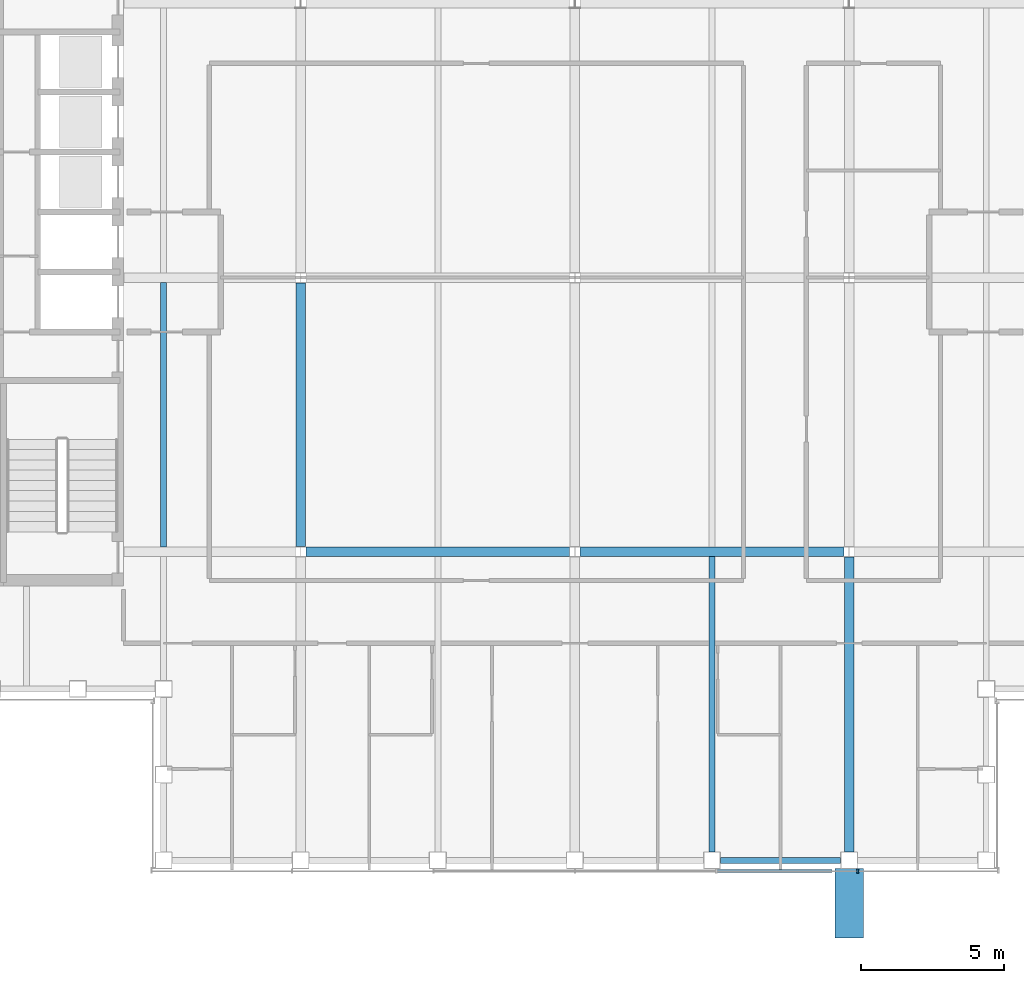
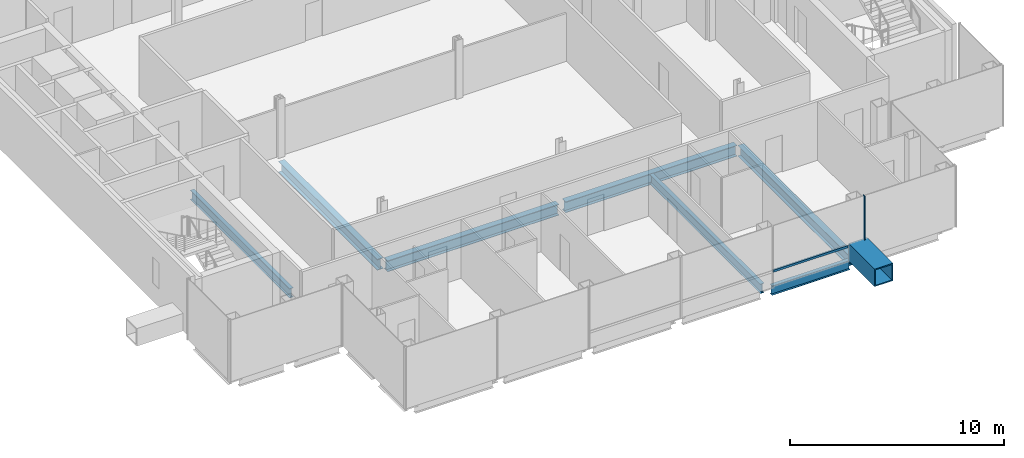
# One storey, part 4 of 15: 8 beams, 2 members, 1 element without a shape of its own.
"""IFC4 building model written with IfcOpenShell, lengths in metres."""

from ifc_helpers import new_model, si_unit, direction, frame, origin, origin_2d, place, context, subcontext, project, spatial, rectangle, hollow_rectangle, i_section, extrude, material, material_profile, profile_set, type_object, element, aggregate, save


model = new_model("IFC4")

# Units and contexts
model_context = context("Model", 3, precision=1e-05, world=origin(), true_north=direction((0.0, 1.0)))
body_context = subcontext(model_context, "Body", "Model", "MODEL_VIEW")
ifc_project = project(units=[si_unit("LENGTHUNIT", "METRE"), si_unit("AREAUNIT", "SQUARE_METRE"), si_unit("VOLUMEUNIT", "CUBIC_METRE"), si_unit("PLANEANGLEUNIT", "RADIAN"), si_unit("MASSUNIT", "GRAM", prefix="KILO")], contexts=[model_context])

# Site, building, storey
site_placement = place(None, origin())
site = spatial("IfcSite", under=ifc_project, at=site_placement, CompositionType="ELEMENT")
building_placement = place(site_placement, origin())
building = spatial("IfcBuilding", under=site, at=building_placement, Name="Cobrizo Arcos Hotel Tower", CompositionType="ELEMENT")
storey_placement = place(building_placement, frame((0.0, 0.0, 258.5)))
storey = spatial("IfcBuildingStorey", under=building, at=storey_placement, Name="L68", CompositionType="ELEMENT", Elevation=258.5)

# Beam
ifc_material_1 = material(Name="Steel ASTM A572 Grade 50", Category="steel")
ifc_material_profile_1 = material_profile(ifc_material_1, hollow_rectangle(XDim=1.0, YDim=1.0, WallThickness=0.06005859375, at=origin_2d()), Name="BOX 1000X1000X60")
ifc_profile_set_1 = profile_set([ifc_material_profile_1], Name="Steel ASTM A572 Grade 50")
beam_type_1 = type_object("IfcBeamType", Name="BOX 1000X1000X60 brace connector strut", PredefinedType="BEAM", material=ifc_profile_set_1)
beam_1_placement = place(storey_placement, frame((9.60009765625, -20.68994140625, 0.5), z_axis=(0.0, -1.0, 0.0), x_axis=(1.0, 0.0, 0.0)))
element("IfcBeam", 1, at=beam_1_placement, inside=storey, type_object=beam_type_1, Name="Perimeter brace stub BS1, zone Z5, south face, offset +9.60 m, L68", PredefinedType="BEAM", context=body_context, shape_type="SweptSolid", body=[
    extrude(hollow_rectangle(XDim=1.0, YDim=1.0, WallThickness=0.06005859375, at=origin_2d()), origin(), (0.0, 0.0, 1.0), 2.43017578125),
])

# Curtain wall, members
ifc_material_2 = material(Name="Aluminium 6063-T6 anodised bronze", Category="aluminium")
curtain_wall_type = type_object("IfcCurtainWallType", Name="CW-A guest facade", PredefinedType="NOTDEFINED", material=ifc_material_2)
curtain_wall_placement = place(storey_placement, origin())
curtain_wall = element("IfcCurtainWall", 2, at=curtain_wall_placement, inside=storey, type_object=curtain_wall_type, Name="CW-A L68 S face", PredefinedType="NOTDEFINED")
ifc_material_profile_2 = material_profile(ifc_material_2, rectangle(XDim=0.14990234375, YDim=0.06005859375, at=origin_2d()), Name="CW-A mullion 150x60")
ifc_profile_set_2 = profile_set([ifc_material_profile_2], Name="Aluminium 6063-T6 anodised bronze")
member_type_1 = type_object("IfcMemberType", Name="CW-A mullion 150x60", PredefinedType="MULLION", material=ifc_profile_set_2)
member_1_placement = place(storey_placement, frame((9.89990234375, -20.77490234375, 0.0), z_axis=(0.0, 0.0, 1.0), x_axis=(0.0, -1.0, 0.0)))
member_1 = element("IfcMember", 3, at=member_1_placement, type_object=member_type_1, Name="CW-A mullion 6", PredefinedType="MULLION", context=body_context, shape_type="SweptSolid", body=[
    extrude(rectangle(XDim=0.14990234375, YDim=0.06005859375, at=origin_2d()), origin(), (0.0, 0.0, 1.0), 3.5),
])
ifc_material_profile_3 = material_profile(ifc_material_2, rectangle(XDim=0.10009765625, YDim=0.1201171875, at=origin_2d()), Name="CW-A transom 120x100")
ifc_profile_set_3 = profile_set([ifc_material_profile_3], Name="Aluminium 6063-T6 anodised bronze")
member_type_2 = type_object("IfcMemberType", Name="CW-A transom 120x100", PredefinedType="USERDEFINED", material=ifc_profile_set_3)
member_2_placement = place(storey_placement, frame((4.97998046875, -20.77490234375, 0.929931640625), z_axis=(1.0, 0.0, 0.0), x_axis=(0.0, 1.0, 0.0)))
member_2 = element("IfcMember", 4, at=member_2_placement, type_object=member_type_2, Name="CW-A transom 2136", ObjectType="TRANSOM", PredefinedType="USERDEFINED", context=body_context, shape_type="SweptSolid", body=[
    extrude(rectangle(XDim=0.10009765625, YDim=0.1201171875, at=origin_2d()), origin(), (0.0, 0.0, 1.0), 4.02001953125),
])
aggregate(curtain_wall, [member_1, member_2])

# Beams
ifc_material_3 = material(Name="Steel ASTM A992 Grade 50", Category="steel")
ifc_material_profile_4 = material_profile(ifc_material_3, i_section(OverallWidth=0.209228515625, OverallDepth=0.533447265625, WebThickness=0.01025390625, FlangeThickness=0.015625, at=origin_2d()), Name="W21X62")
ifc_profile_set_4 = profile_set([ifc_material_profile_4], Name="Steel ASTM A992 Grade 50")
beam_type_2 = type_object("IfcBeamType", Name="W21X62 joist", PredefinedType="JOIST", material=ifc_profile_set_4)
beam_2_placement = place(storey_placement, frame((-14.39990234375, -9.43603515625, -0.416748046875), z_axis=(0.0, 1.0, 0.0), x_axis=(-1.0, 0.0, 0.0)))
element("IfcBeam", 5, at=beam_2_placement, inside=storey, type_object=beam_type_2, Name="Floor joist J1, L68, no. 004", PredefinedType="JOIST", context=body_context, shape_type="SweptSolid", body=[
    extrude(i_section(OverallWidth=0.209228515625, OverallDepth=0.533447265625, WebThickness=0.01025390625, FlangeThickness=0.015625, at=origin_2d()), origin(), (0.0, 0.0, 1.0), 9.272216796875),
])
beam_3_placement = place(storey_placement, frame((4.800048828125, -20.10009765625, -0.416748046875), z_axis=(0.0, 1.0, 0.0), x_axis=(-1.0, 0.0, 0.0)))
element("IfcBeam", 6, at=beam_3_placement, inside=storey, type_object=beam_type_2, Name="Floor joist J1, L68, no. 011", PredefinedType="JOIST", context=body_context, shape_type="SweptSolid", body=[
    extrude(i_section(OverallWidth=0.209228515625, OverallDepth=0.533447265625, WebThickness=0.01025390625, FlangeThickness=0.015625, at=origin_2d()), origin(), (0.0, 0.0, 1.0), 10.336181640625),
])
ifc_material_profile_5 = material_profile(ifc_material_3, i_section(OverallWidth=0.209228515625, OverallDepth=0.533447265625, WebThickness=0.01025390625, FlangeThickness=0.015625, at=origin_2d()), Name="W21X62")
ifc_profile_set_5 = profile_set([ifc_material_profile_5], Name="Steel ASTM A992 Grade 50")
beam_type_3 = type_object("IfcBeamType", Name="W21X62 spandrel", PredefinedType="SPANDREL", material=ifc_profile_set_5)
beam_4_placement = place(storey_placement, frame((5.10009765625, -20.39990234375, -0.416748046875), z_axis=(1.0, 0.0, 0.0), x_axis=(0.0, 1.0, 0.0)))
element("IfcBeam", 7, at=beam_4_placement, inside=storey, type_object=beam_type_3, Name="Spandrel beam W21X62, L68, no. 005", PredefinedType="SPANDREL", context=body_context, shape_type="SweptSolid", body=[
    extrude(i_section(OverallWidth=0.209228515625, OverallDepth=0.533447265625, WebThickness=0.01025390625, FlangeThickness=0.015625, at=origin_2d()), origin(), (0.0, 0.0, 1.0), 4.199951171875),
])
ifc_material_profile_6 = material_profile(ifc_material_3, i_section(OverallWidth=0.32763671875, OverallDepth=0.622314453125, WebThickness=0.015380859375, FlangeThickness=0.0244140625, at=origin_2d()), Name="W24X131")
ifc_profile_set_6 = profile_set([ifc_material_profile_6], Name="Steel ASTM A992 Grade 50")
beam_type_4 = type_object("IfcBeamType", Name="W24X131 girder", PredefinedType="BEAM", material=ifc_profile_set_6)
for number, where, z_axis, x_axis, name in (
    (8, (-9.415771484375, -9.60009765625, -0.461181640625), (1.0, 0.0, 0.0), (0.0, 1.0, 0.0), "Floor girder G1, L68, no. 002"),
    (9, (0.18408203125, -9.60009765625, -0.461181640625), (1.0, 0.0, 0.0), (0.0, 1.0, 0.0), "Floor girder G1, L68, no. 003"),
    (10, (-9.60009765625, -9.415771484375, -0.461181640625), (0.0, 1.0, 0.0), (-1.0, 0.0, 0.0), "Floor girder G1, L68, no. 014"),
):
    element("IfcBeam", number, at=place(storey_placement, frame(where, z_axis=z_axis, x_axis=x_axis)), inside=storey, type_object=beam_type_4, Name=name, PredefinedType="BEAM", context=body_context, shape_type="SweptSolid", body=[
        extrude(i_section(OverallWidth=0.32763671875, OverallDepth=0.622314453125, WebThickness=0.015380859375, FlangeThickness=0.0244140625, at=origin_2d()), origin(), (0.0, 0.0, 1.0), 9.231689453125),
    ])
beam_5_placement = place(storey_placement, frame((9.60009765625, -20.10009765625, -0.461181640625), z_axis=(0.0, 1.0, 0.0), x_axis=(-1.0, 0.0, 0.0)))
element("IfcBeam", 11, at=beam_5_placement, inside=storey, type_object=beam_type_4, Name="Floor girder G1, L68, no. 021", PredefinedType="BEAM", context=body_context, shape_type="SweptSolid", body=[
    extrude(i_section(OverallWidth=0.32763671875, OverallDepth=0.622314453125, WebThickness=0.015380859375, FlangeThickness=0.0244140625, at=origin_2d()), origin(), (0.0, 0.0, 1.0), 10.31591796875),
])

save(model, "model.ifc")
